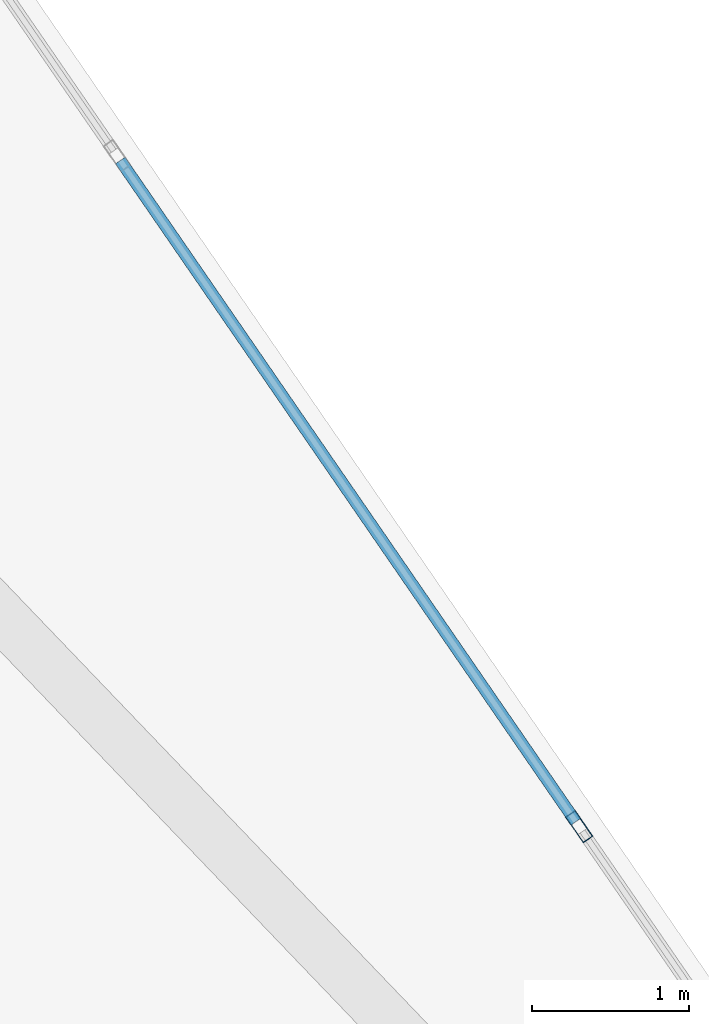
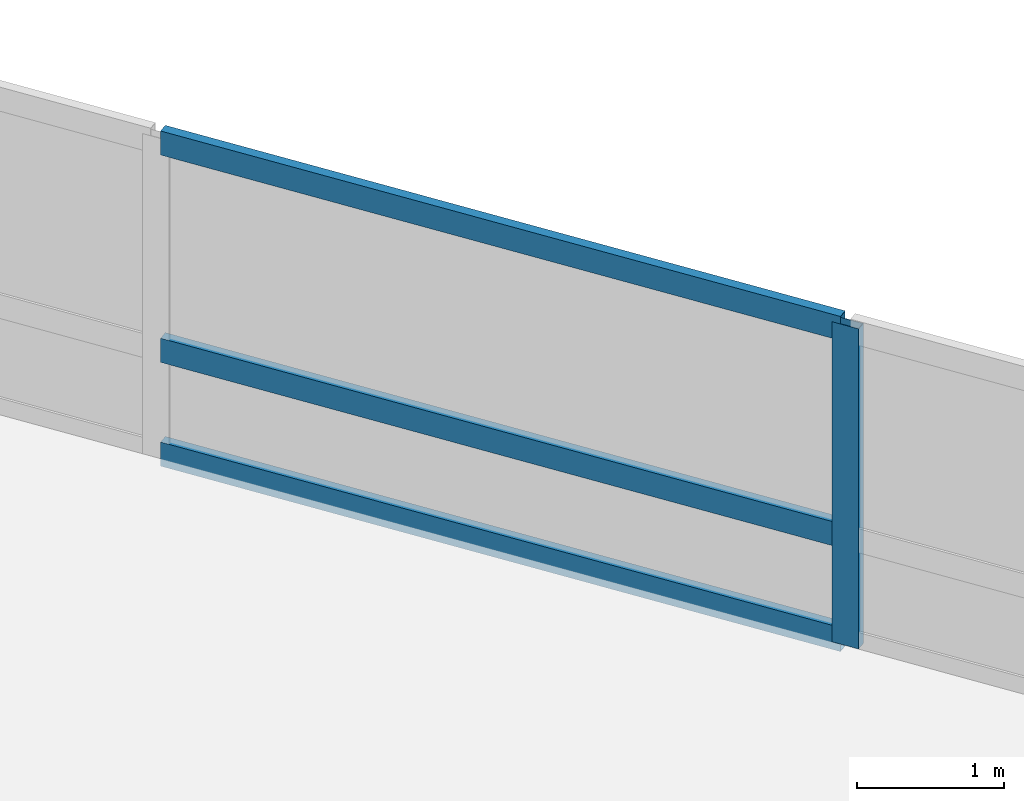
# One storey, part 9 of 23: 4 members, 1 element without a shape of its own.
"""IFC4 building model written with IfcOpenShell, lengths in metres."""

from ifc_helpers import new_model, si_unit, direction, frame, origin, origin_2d, place, context, subcontext, project, spatial, hollow_rectangle, extrude, material, layer, layer_set, material_profile, profile_set, type_object, element, aggregate, save


model = new_model("IFC4")

# Units and contexts
model_context = context("Model", 3, precision=1e-05, world=origin(), true_north=direction((0.0, 1.0)))
body_context = subcontext(model_context, "Body", "Model", "MODEL_VIEW")
ifc_project = project(units=[si_unit("LENGTHUNIT", "METRE"), si_unit("AREAUNIT", "SQUARE_METRE"), si_unit("VOLUMEUNIT", "CUBIC_METRE"), si_unit("PLANEANGLEUNIT", "RADIAN"), si_unit("MASSUNIT", "GRAM", prefix="KILO")], contexts=[model_context])

# Site, building, storey
site_placement = place(None, origin())
site = spatial("IfcSite", under=ifc_project, at=site_placement, CompositionType="ELEMENT")
building_placement = place(site_placement, origin())
building = spatial("IfcBuilding", under=site, at=building_placement, Name="Varnelok Gate Tower", CompositionType="ELEMENT")
storey_placement = place(building_placement, frame((0.0, 0.0, 287.800048828125)))
storey = spatial("IfcBuildingStorey", under=building, at=storey_placement, Name="L74", CompositionType="ELEMENT", Elevation=287.800048828125)

# Curtain wall, members
ifc_material = material(Name="Anodized Aluminum Alloy 6063-T6", Category="aluminium")
ifc_layer = layer(ifc_material, 0.179931640625)
ifc_layer_set = layer_set([ifc_layer], Name="Anodized Aluminum Alloy 6063-T6")
curtain_wall_type = type_object("IfcCurtainWallType", Name="CW6-CROWN-LOOKOUT", PredefinedType="USERDEFINED", material=ifc_layer_set)
curtain_wall_placement = place(storey_placement, origin())
curtain_wall = element("IfcCurtainWall", 1, at=curtain_wall_placement, inside=storey, type_object=curtain_wall_type, Name="L74 East End Vision Curtain Wall", ObjectType="STRUCTURAL GLAZING", PredefinedType="USERDEFINED")
ifc_material_profile_1 = material_profile(ifc_material, hollow_rectangle(XDim=0.074951171875, YDim=0.199951171875, WallThickness=0.00390625, at=origin_2d()), Name="ALU200X75X4")
ifc_profile_set_1 = profile_set([ifc_material_profile_1], Name="Anodized Aluminum Alloy 6063-T6")
member_type_1 = type_object("IfcMemberType", Name="CW-MULL-200", PredefinedType="MULLION", material=ifc_profile_set_1)
member_1_placement = place(storey_placement, frame((66.343505859375, 43.997314453125, 0.0), z_axis=(0.0, 0.0, 1.0), x_axis=(0.823532290241, 0.567269395376, 0.0)))
member_1 = element("IfcMember", 2, at=member_1_placement, type_object=member_type_1, Name="CW6 mullion 4", PredefinedType="MULLION", context=body_context, shape_type="SweptSolid", body=[
    extrude(hollow_rectangle(XDim=0.074951171875, YDim=0.199951171875, WallThickness=0.00390625, at=origin_2d()), origin(), (0.0, 0.0, 1.0), 2.659912109375),
])
ifc_material_profile_2 = material_profile(ifc_material, hollow_rectangle(XDim=0.074951171875, YDim=0.199951171875, WallThickness=0.00390625, at=origin_2d()), Name="ALU200X75X4")
ifc_profile_set_2 = profile_set([ifc_material_profile_2], Name="Anodized Aluminum Alloy 6063-T6")
member_type_2 = type_object("IfcMemberType", Name="CW-TRAN-200", PredefinedType="USERDEFINED", material=ifc_profile_set_2)
member_2_placement = place(storey_placement, frame((63.4150390625, 48.248779296875, 0.037353515625), z_axis=(0.567256418128, -0.82354122914, 0.0), x_axis=(0.82354122914, 0.567256418128, 0.0)))
member_2 = element("IfcMember", 3, at=member_2_placement, type_object=member_type_2, Name="CW6 transom 3.1", ObjectType="TRANSOM", PredefinedType="USERDEFINED", context=body_context, shape_type="SweptSolid", body=[
    extrude(hollow_rectangle(XDim=0.074951171875, YDim=0.199951171875, WallThickness=0.00390625, at=origin_2d()), origin(), (0.0, 0.0, 1.0), 5.125),
])
member_3_placement = place(storey_placement, frame((63.4150390625, 48.248779296875, 0.89990234375), z_axis=(0.567256418128, -0.82354122914, 0.0), x_axis=(0.82354122914, 0.567256418128, 0.0)))
member_3 = element("IfcMember", 4, at=member_3_placement, type_object=member_type_2, Name="CW6 transom 3.2", ObjectType="TRANSOM", PredefinedType="USERDEFINED", context=body_context, shape_type="SweptSolid", body=[
    extrude(hollow_rectangle(XDim=0.074951171875, YDim=0.199951171875, WallThickness=0.00390625, at=origin_2d()), origin(), (0.0, 0.0, 1.0), 5.125),
])
member_4_placement = place(storey_placement, frame((63.4150390625, 48.248779296875, 2.62255859375), z_axis=(0.567256418128, -0.82354122914, 0.0), x_axis=(0.82354122914, 0.567256418128, 0.0)))
member_4 = element("IfcMember", 5, at=member_4_placement, type_object=member_type_2, Name="CW6 transom 3.3", ObjectType="TRANSOM", PredefinedType="USERDEFINED", context=body_context, shape_type="SweptSolid", body=[
    extrude(hollow_rectangle(XDim=0.074951171875, YDim=0.199951171875, WallThickness=0.00390625, at=origin_2d()), origin(), (0.0, 0.0, 1.0), 5.125),
])
aggregate(curtain_wall, [member_1, member_2, member_3, member_4])

save(model, "model.ifc")
